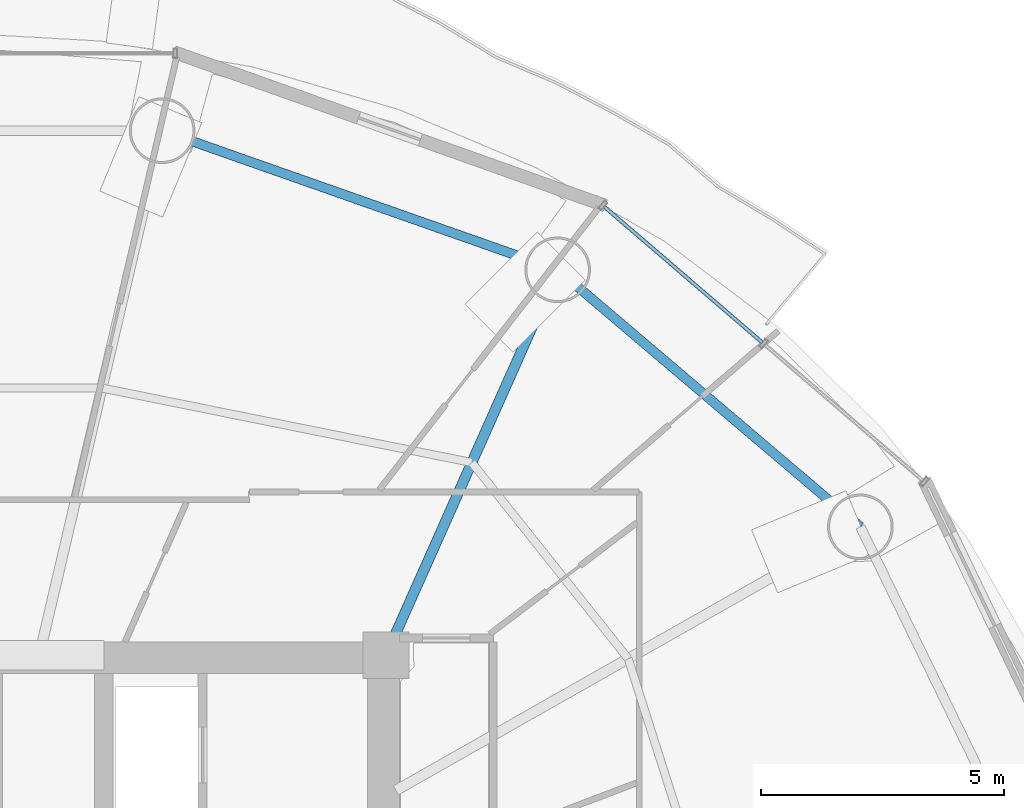
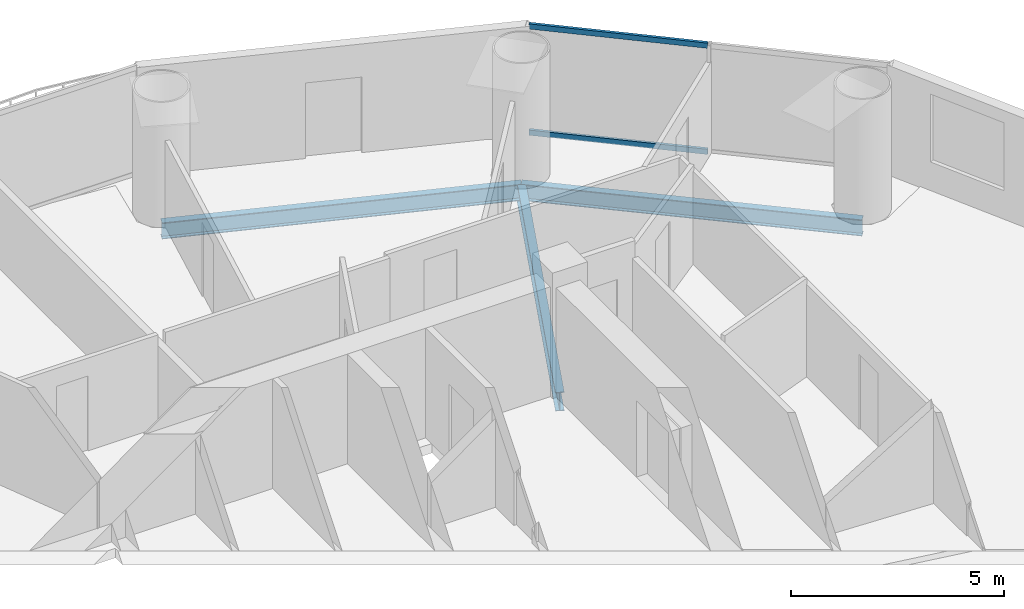
# One storey, part 17 of 26: 3 beams, 2 members, 1 element without a shape of its own.
"""IFC4 building model written with IfcOpenShell, lengths in metres."""

from ifc_helpers import new_model, si_unit, direction, frame, origin, origin_2d, place, context, subcontext, project, spatial, hollow_rectangle, i_section, extrude, source, transform, mapped, material, material_profile, profile_set, type_object, element, aggregate, save


model = new_model("IFC4")

# Units and contexts
model_context = context("Model", 3, precision=1e-05, world=origin(), true_north=direction((-0.2419218956, 0.970295726276)))
body_context = subcontext(model_context, "Body", "Model", "MODEL_VIEW")
ifc_project = project(units=[si_unit("LENGTHUNIT", "METRE"), si_unit("AREAUNIT", "SQUARE_METRE"), si_unit("VOLUMEUNIT", "CUBIC_METRE"), si_unit("PLANEANGLEUNIT", "RADIAN"), si_unit("MASSUNIT", "GRAM", prefix="KILO")], contexts=[model_context])

# Site, building, storey
site_placement = place(None, origin())
site = spatial("IfcSite", under=ifc_project, at=site_placement, CompositionType="ELEMENT")
building_placement = place(site_placement, origin())
building = spatial("IfcBuilding", under=site, at=building_placement, Name="Cobrevalo Terracotta Tower", CompositionType="ELEMENT")
storey_placement = place(building_placement, frame((0.0, 0.0, 182.199951171875)))
storey = spatial("IfcBuildingStorey", under=building, at=storey_placement, Name="L48", CompositionType="ELEMENT", Elevation=182.199951171875)

# Beams
ifc_material_1 = material(Name="Steel S355", Category="steel")
ifc_material_profile_1 = material_profile(ifc_material_1, i_section(OverallWidth=0.2109375, OverallDepth=0.5390625, WebThickness=0.01171875, FlangeThickness=0.018798828125, at=origin_2d()), Name="W 530x109")
ifc_profile_set_1 = profile_set([ifc_material_profile_1], Name="Steel S355")
beam_type_1 = type_object("IfcBeamType", Name="Structural Beam W 530x109 (Steel S355)", PredefinedType="BEAM", material=ifc_profile_set_1)
beam_1_placement = place(storey_placement, frame((50.528076171875, 42.72265625, -0.53955078125), z_axis=(-0.406804395691, -0.913515289224, 0.0), x_axis=(0.913515289224, -0.406804395691, 0.0)))
element("IfcBeam", 1, at=beam_1_placement, inside=storey, type_object=beam_type_1, Name="L48 radial floor girder 03", PredefinedType="BEAM", context=body_context, shape_type="SweptSolid", body=[
    extrude(i_section(OverallWidth=0.2109375, OverallDepth=0.5390625, WebThickness=0.01171875, FlangeThickness=0.018798828125, at=origin_2d()), origin(), (0.0, 0.0, 1.0), 8.672607421875),
])
ifc_material_profile_2 = material_profile(ifc_material_1, i_section(OverallWidth=0.194091796875, OverallDepth=0.468994140625, WebThickness=0.011474609375, FlangeThickness=0.0205078125, at=origin_2d()), Name="W 460x106")
ifc_profile_set_2 = profile_set([ifc_material_profile_2], Name="Steel S355")
beam_type_2 = type_object("IfcBeamType", Name="Structural Spandrel W 460x106 (Steel S355)", PredefinedType="SPANDREL", material=ifc_profile_set_2)
beam_2_placement = place(storey_placement, frame((56.749755859375, 37.439208984375, -0.50439453125), z_axis=(-0.762240337798, 0.647294112003, 0.0), x_axis=(-0.647294112003, -0.762240337798, 0.0)))
element("IfcBeam", 2, at=beam_2_placement, inside=storey, type_object=beam_type_2, Name="L48 perimeter ring spandrel 02", PredefinedType="SPANDREL", context=body_context, shape_type="SweptSolid", body=[
    extrude(i_section(OverallWidth=0.194091796875, OverallDepth=0.468994140625, WebThickness=0.011474609375, FlangeThickness=0.0205078125, at=origin_2d()), origin(), (0.0, 0.0, 1.0), 8.162353515625),
])
beam_3_placement = place(storey_placement, frame((50.528076171875, 42.72265625, -0.50439453125), z_axis=(-0.943341298492, 0.331824041565, 0.0), x_axis=(-0.331824041565, -0.943341298492, 0.0)))
element("IfcBeam", 3, at=beam_3_placement, inside=storey, type_object=beam_type_2, Name="L48 perimeter ring spandrel 03", PredefinedType="SPANDREL", context=body_context, shape_type="SweptSolid", body=[
    extrude(i_section(OverallWidth=0.194091796875, OverallDepth=0.468994140625, WebThickness=0.011474609375, FlangeThickness=0.0205078125, at=origin_2d()), origin(), (0.0, 0.0, 1.0), 8.6171875),
])

# Curtain wall, members
ifc_material_2 = material(Name="Anodized aluminium", Category="aluminium")
curtain_wall_type = type_object("IfcCurtainWallType", Name="Mid-tower high-wind unitised curtain wall CW-U2", PredefinedType="NOTDEFINED", material=ifc_material_2)
curtain_wall_placement = place(storey_placement, origin())
curtain_wall = element("IfcCurtainWall", 4, at=curtain_wall_placement, inside=storey, type_object=curtain_wall_type, Name="L48 curtain wall CW-L48-S02", PredefinedType="NOTDEFINED")
ifc_material_profile_3 = material_profile(ifc_material_2, hollow_rectangle(XDim=0.074951171875, YDim=0.14990234375, WallThickness=0.00439453125, at=origin_2d()), Name="CWT 75x150")
ifc_profile_set_3 = profile_set([ifc_material_profile_3], Name="Anodized aluminium")
member_type = type_object("IfcMemberType", Name="Tower unitised aluminium transom 75x150", PredefinedType="USERDEFINED", material=ifc_profile_set_3)
shared_shape = source(origin(), body_context, "Body", "SweptSolid", [
    extrude(hollow_rectangle(XDim=0.074951171875, YDim=0.14990234375, WallThickness=0.00439453125, at=origin_2d()), origin(), (0.0, 0.0, 1.0), 4.276123046875),
])
member_1_placement = place(storey_placement, frame((54.73193359375, 41.23046875, 0.050048828125), z_axis=(-0.758417719247, 0.651768795764, 0.0), x_axis=(-0.651768795764, -0.758417719247, 0.0)))
member_1 = element("IfcMember", 5, at=member_1_placement, type_object=member_type, Name="CW-L48-S02 transom B02-T1", ObjectType="TRANSOM", PredefinedType="USERDEFINED", context=body_context, shape_type="MappedRepresentation", body=[
    mapped(shared_shape, transform((0.0, 0.0, 0.0), scale=1.0)),
])
member_2_placement = place(storey_placement, frame((54.73193359375, 41.23046875, 3.10009765625), z_axis=(-0.758417719247, 0.651768795764, 0.0), x_axis=(-0.651768795764, -0.758417719247, 0.0)))
member_2 = element("IfcMember", 6, at=member_2_placement, type_object=member_type, Name="CW-L48-S02 transom B02-T2", ObjectType="TRANSOM", PredefinedType="USERDEFINED", context=body_context, shape_type="MappedRepresentation", body=[
    mapped(shared_shape, transform((0.0, 0.0, 0.0), scale=1.0)),
])
aggregate(curtain_wall, [member_1, member_2])

save(model, "model.ifc")
